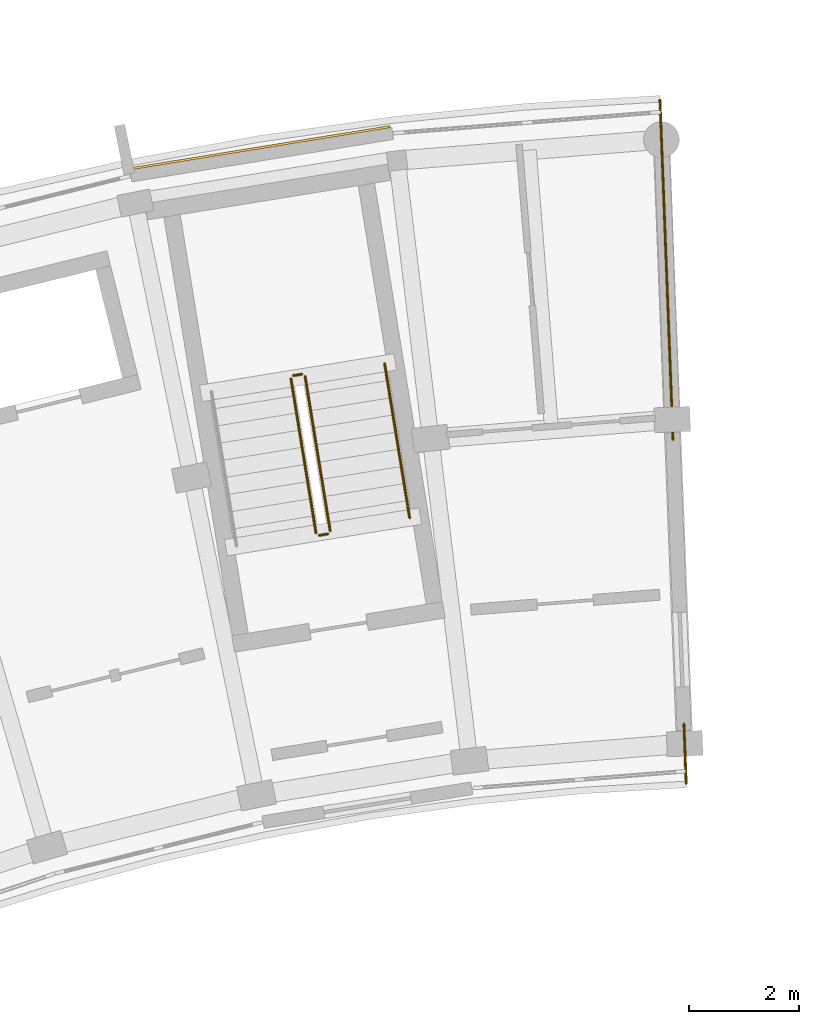
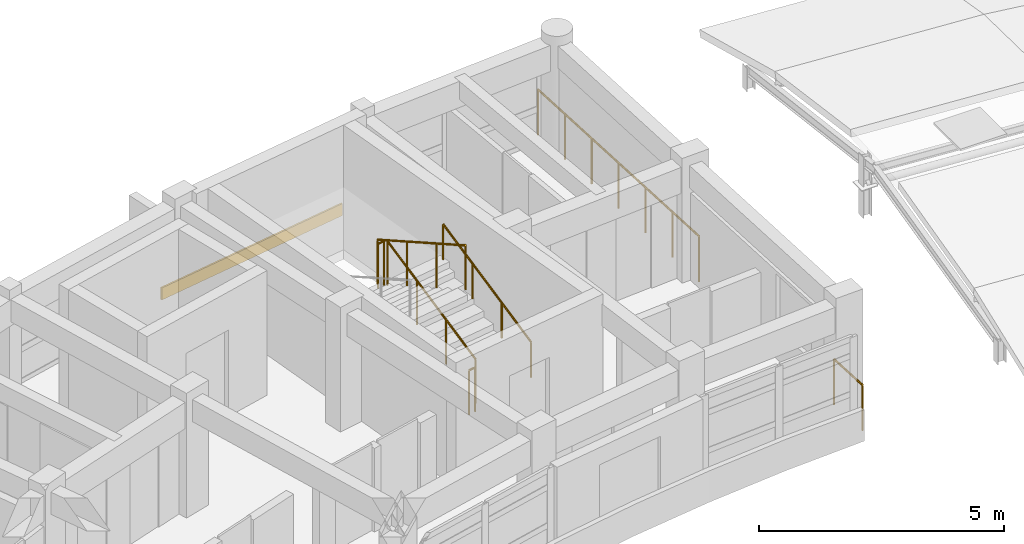
# One storey, part 20 of 20: 7 railings, 1 covering.
"""IFC4 building model written with IfcOpenShell, lengths in metres."""

from ifc_helpers import new_model, si_unit, direction, frame, origin, origin_2d, place, context, subcontext, project, spatial, rectangle, circle, extrude, material, layer, layer_set, type_object, element, save


model = new_model("IFC4")

# Units and contexts
model_context = context("Model", 3, precision=1e-05, world=origin(), true_north=direction((0.0, 1.0)))
body_context = subcontext(model_context, "Body", "Model", "MODEL_VIEW")
ifc_project = project(units=[si_unit("LENGTHUNIT", "METRE"), si_unit("AREAUNIT", "SQUARE_METRE"), si_unit("VOLUMEUNIT", "CUBIC_METRE"), si_unit("PLANEANGLEUNIT", "RADIAN"), si_unit("MASSUNIT", "GRAM", prefix="KILO")], contexts=[model_context])

# Site, building, storey
site_placement = place(None, origin())
site = spatial("IfcSite", under=ifc_project, at=site_placement, CompositionType="ELEMENT")
building_placement = place(site_placement, origin())
building = spatial("IfcBuilding", under=site, at=building_placement, Name="Zimvara Arc Housing Community", CompositionType="ELEMENT")
storey_placement = place(building_placement, frame((0.0, 0.0, 39.10009765625)))
storey = spatial("IfcBuildingStorey", under=building, at=storey_placement, Name="L12", CompositionType="ELEMENT", Elevation=39.10009765625)

# Covering
ifc_material_1 = material(Name="Pale-Gold Anodised Aluminium Cladding", Category="aluminium")
ifc_layer = layer(ifc_material_1, 0.0400390625)
ifc_layer_set = layer_set([ifc_layer], Name="Pale-Gold Anodised Aluminium Cladding")
covering_type = type_object("IfcCoveringType", Name="CLD-GOLD-01", PredefinedType="CLADDING", material=ifc_layer_set)
covering_placement = place(storey_placement, frame((35.47314453125, 103.190185546875, 0.009765625), z_axis=(0.0, 0.0, 1.0), x_axis=(0.987080395872, 0.160225753504, 0.0)))
element("IfcCovering", 1, at=covering_placement, inside=storey, type_object=covering_type, Name="cld:blkA:L12:out:b8", PredefinedType="CLADDING", context=body_context, shape_type="SweptSolid", body=[
    extrude(rectangle(XDim=4.748779296875, YDim=0.0400390625, at=origin_2d()), origin(), (0.0, 0.0, 1.0), 0.300048828125),
])

# Railings
ifc_material_2 = material(Name="Anodised Aluminium AW-6063", Category="aluminium")
railing_type_1 = type_object("IfcRailingType", Name="RLG-BAL-1120", PredefinedType="BALUSTRADE", material=ifc_material_2)
railing_1_placement = place(storey_placement, frame((36.732421875, 96.243896484375, 0.15478515625)))
element("IfcRailing", 2, at=railing_1_placement, inside=storey, type_object=railing_type_1, Name="L12 ST-A2 stair guard 1", PredefinedType="BALUSTRADE", context=body_context, shape_type="SweptSolid", body=[
    extrude(circle(Radius=0.02392578125, at=origin_2d()), frame((0.0, 0.0, 1.09619140625), z_axis=(-0.143721784145, 0.885666177347, 0.441519502474), x_axis=(-0.987087819028, -0.160180016, 0.0)), (0.0, 0.0, 1.0), 3.15966796875),
    extrude(circle(Radius=0.02099609375, at=origin_2d()), origin(), (0.0, 0.0, 1.0), 1.072021484375),
    extrude(circle(Radius=0.02099609375, at=origin_2d()), frame((-0.1513671875, 0.932861328125, 0.465087890625)), (0.0, 0.0, 1.0), 1.072021484375),
    extrude(circle(Radius=0.02099609375, at=origin_2d()), frame((-0.302734375, 1.865478515625, 0.929931640625)), (0.0, 0.0, 1.0), 1.072021484375),
    extrude(circle(Radius=0.02099609375, at=origin_2d()), frame((-0.4541015625, 2.79833984375, 1.39501953125)), (0.0, 0.0, 1.0), 1.072021484375),
])
railing_2_placement = place(storey_placement, frame((36.220947265625, 99.08349609375, 1.5498046875)))
element("IfcRailing", 3, at=railing_2_placement, inside=storey, type_object=railing_type_1, Name="L12 ST-A2 stair guard 2", PredefinedType="BALUSTRADE", context=body_context, shape_type="SweptSolid", body=[
    extrude(circle(Radius=0.02392578125, at=origin_2d()), frame((0.0, 0.0, 1.09619140625), z_axis=(-0.987085924886, -0.160191687964, 0.0), x_axis=(0.160191687964, -0.987085924886, 0.0)), (0.0, 0.0, 1.0), 0.159912109375),
    extrude(circle(Radius=0.02099609375, at=origin_2d()), origin(), (0.0, 0.0, 1.0), 1.072021484375),
    extrude(circle(Radius=0.02099609375, at=origin_2d()), frame((-0.157958984375, -0.025634765625, 0.0)), (0.0, 0.0, 1.0), 1.072021484375),
])
railing_3_placement = place(storey_placement, frame((36.021728515625, 99.00048828125, 1.704833984375)))
element("IfcRailing", 4, at=railing_3_placement, inside=storey, type_object=railing_type_1, Name="L12 ST-A2 stair guard 3", PredefinedType="BALUSTRADE", context=body_context, shape_type="SweptSolid", body=[
    extrude(circle(Radius=0.02392578125, at=origin_2d()), frame((0.0, 0.0, 1.09619140625), z_axis=(0.143721784145, -0.885666177347, 0.441519502474), x_axis=(0.987087819028, 0.160180016, 0.0)), (0.0, 0.0, 1.0), 3.15966796875),
    extrude(circle(Radius=0.02099609375, at=origin_2d()), origin(), (0.0, 0.0, 1.0), 1.072021484375),
    extrude(circle(Radius=0.02099609375, at=origin_2d()), frame((0.1513671875, -0.932861328125, 0.465087890625)), (0.0, 0.0, 1.0), 1.072021484375),
    extrude(circle(Radius=0.02099609375, at=origin_2d()), frame((0.302734375, -1.865478515625, 0.929931640625)), (0.0, 0.0, 1.0), 1.072021484375),
    extrude(circle(Radius=0.02099609375, at=origin_2d()), frame((0.4541015625, -2.79833984375, 1.39501953125)), (0.0, 0.0, 1.0), 1.072021484375),
])
railing_4_placement = place(storey_placement, frame((36.691162109375, 96.1865234375, 0.0)))
element("IfcRailing", 5, at=railing_4_placement, inside=storey, type_object=railing_type_1, Name="L12 ST-A2 stair guard 4", PredefinedType="BALUSTRADE", context=body_context, shape_type="SweptSolid", body=[
    extrude(circle(Radius=0.02392578125, at=origin_2d()), frame((0.0, 0.0, 1.09619140625), z_axis=(-0.987085924886, -0.160191687964, 0.0), x_axis=(0.160191687964, -0.987085924886, 0.0)), (0.0, 0.0, 1.0), 0.159912109375),
    extrude(circle(Radius=0.02099609375, at=origin_2d()), origin(), (0.0, 0.0, 1.0), 1.072021484375),
    extrude(circle(Radius=0.02099609375, at=origin_2d()), frame((-0.157958984375, -0.025634765625, 0.0)), (0.0, 0.0, 1.0), 1.072021484375),
])
ifc_material_3 = material(Name="Anodised Aluminium AW-6063", Category="aluminium")
railing_type_2 = type_object("IfcRailingType", Name="RLG-BAL-1150", PredefinedType="BALUSTRADE", material=ifc_material_3)
railing_5_placement = place(storey_placement, frame((43.18798828125, 91.665283203125, 0.0)))
element("IfcRailing", 6, at=railing_5_placement, inside=storey, type_object=railing_type_2, Name="rlg:blkA:L12:gable_in:gN", PredefinedType="BALUSTRADE", context=body_context, shape_type="SweptSolid", body=[
    extrude(circle(Radius=0.02392578125, at=origin_2d()), frame((0.0, 0.0, 1.1259765625), z_axis=(-0.038207375916, 0.99926983164, 0.0), x_axis=(-0.99926983164, -0.038207375916, 0.0)), (0.0, 0.0, 1.0), 1.079833984375),
    extrude(circle(Radius=0.02099609375, at=origin_2d()), origin(), (0.0, 0.0, 1.0), 1.101806640625),
    extrude(circle(Radius=0.02099609375, at=origin_2d()), frame((-0.041259765625, 1.0791015625, 0.0)), (0.0, 0.0, 1.0), 1.101806640625),
])
railing_6_placement = place(storey_placement, frame((42.948486328125, 97.900634765625, 0.0)))
element("IfcRailing", 7, at=railing_6_placement, inside=storey, type_object=railing_type_2, Name="rlg:blkA:L12:gable_out:gN", PredefinedType="BALUSTRADE", context=body_context, shape_type="SweptSolid", body=[
    extrude(circle(Radius=0.02392578125, at=origin_2d()), frame((0.0, 0.0, 1.1259765625), z_axis=(-0.038364627964, 0.99926380667, 0.0), x_axis=(-0.99926380667, -0.038364627964, 0.0)), (0.0, 0.0, 1.0), 6.16015625),
    extrude(circle(Radius=0.02099609375, at=origin_2d()), origin(), (0.0, 0.0, 1.0), 1.101806640625),
    extrude(circle(Radius=0.02099609375, at=origin_2d()), frame((-0.039306640625, 1.02587890625, 0.0)), (0.0, 0.0, 1.0), 1.101806640625),
    extrude(circle(Radius=0.02099609375, at=origin_2d()), frame((-0.078857421875, 2.0517578125, 0.0)), (0.0, 0.0, 1.0), 1.101806640625),
    extrude(circle(Radius=0.02099609375, at=origin_2d()), frame((-0.1181640625, 3.07763671875, 0.0)), (0.0, 0.0, 1.0), 1.101806640625),
    extrude(circle(Radius=0.02099609375, at=origin_2d()), frame((-0.157470703125, 4.103759765625, 0.0)), (0.0, 0.0, 1.0), 1.101806640625),
    extrude(circle(Radius=0.02099609375, at=origin_2d()), frame((-0.197021484375, 5.129638671875, 0.0)), (0.0, 0.0, 1.0), 1.101806640625),
    extrude(circle(Radius=0.02099609375, at=origin_2d()), frame((-0.236328125, 6.155517578125, 0.0)), (0.0, 0.0, 1.0), 1.101806640625),
])
ifc_material_4 = material(Name="Anodised Aluminium AW-6063", Category="aluminium")
railing_type_3 = type_object("IfcRailingType", Name="RLG-HND-900", PredefinedType="HANDRAIL", material=ifc_material_4)
railing_7_placement = place(storey_placement, frame((38.173583984375, 96.477783203125, 0.15478515625)))
element("IfcRailing", 8, at=railing_7_placement, inside=storey, type_object=railing_type_3, Name="L12 ST-A2 stair handrail 1", PredefinedType="HANDRAIL", context=body_context, shape_type="SweptSolid", body=[
    extrude(circle(Radius=0.02392578125, at=origin_2d()), frame((0.0, 0.0, 0.8759765625), z_axis=(-0.143721784145, 0.885666177347, 0.441519502474), x_axis=(-0.987087819028, -0.160180016, 0.0)), (0.0, 0.0, 1.0), 3.15966796875),
    extrude(circle(Radius=0.02099609375, at=origin_2d()), origin(), (0.0, 0.0, 1.0), 0.851806640625),
    extrude(circle(Radius=0.02099609375, at=origin_2d()), frame((-0.1513671875, 0.932861328125, 0.465087890625)), (0.0, 0.0, 1.0), 0.851806640625),
    extrude(circle(Radius=0.02099609375, at=origin_2d()), frame((-0.302734375, 1.865478515625, 0.929931640625)), (0.0, 0.0, 1.0), 0.851806640625),
    extrude(circle(Radius=0.02099609375, at=origin_2d()), frame((-0.4541015625, 2.79833984375, 1.39501953125)), (0.0, 0.0, 1.0), 0.851806640625),
])

save(model, "model.ifc")
